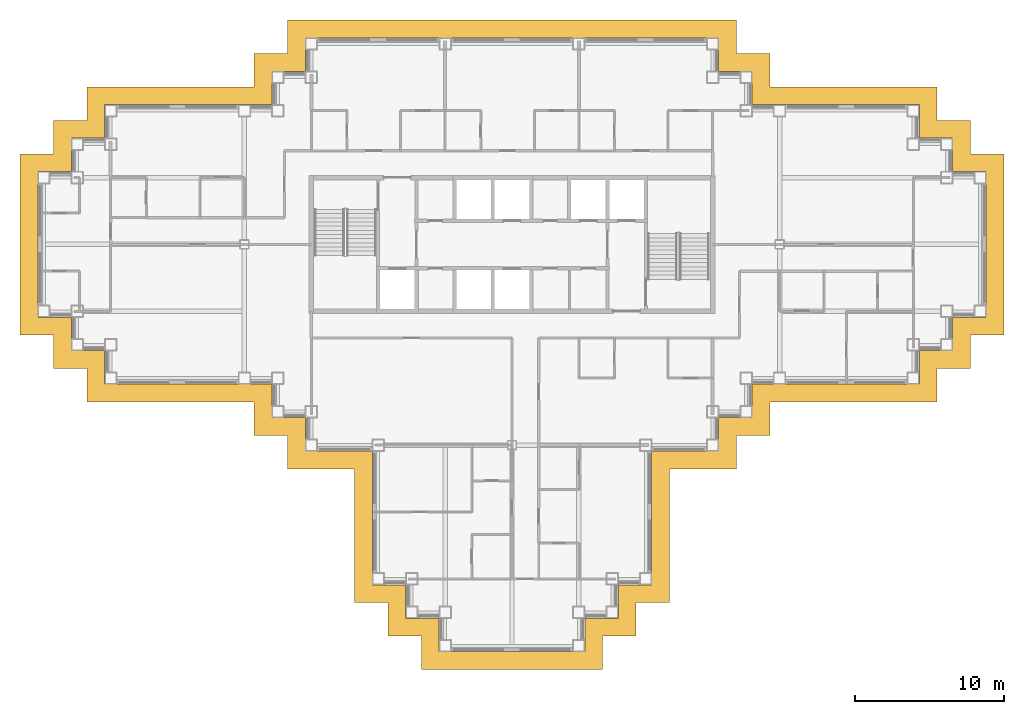
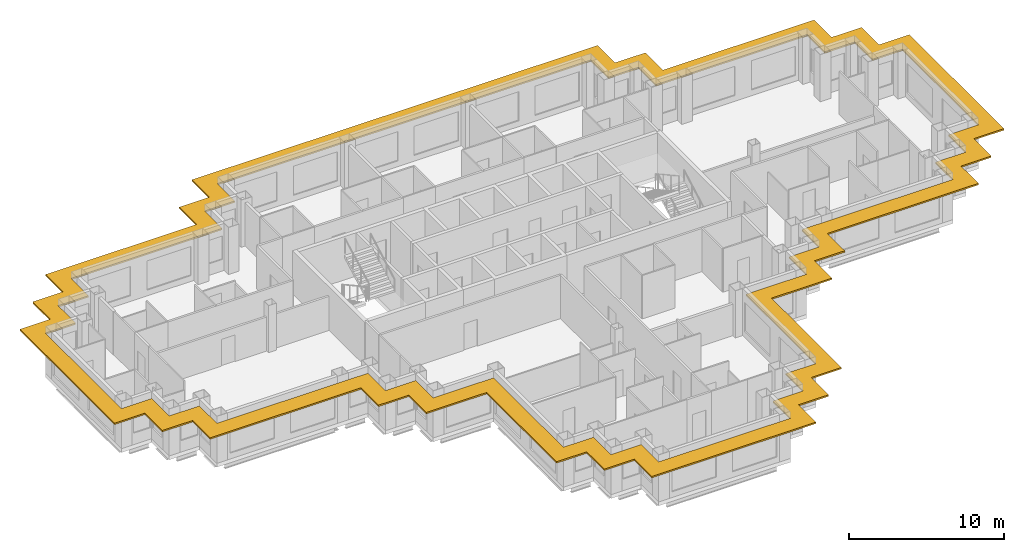
# One storey, part 12 of 13: 1 shading device.
"""IFC4 building model written with IfcOpenShell, lengths in metres."""

from ifc_helpers import new_model, si_unit, direction, frame, origin, place, context, subcontext, project, spatial, polyline, outline, extrude, material, layer, layer_set, type_object, element, save


model = new_model("IFC4")

# Units and contexts
model_context = context("Model", 3, precision=1e-05, world=origin(), true_north=direction((0.0, 1.0)))
body_context = subcontext(model_context, "Body", "Model", "MODEL_VIEW")
ifc_project = project(units=[si_unit("LENGTHUNIT", "METRE"), si_unit("AREAUNIT", "SQUARE_METRE"), si_unit("VOLUMEUNIT", "CUBIC_METRE"), si_unit("PLANEANGLEUNIT", "RADIAN"), si_unit("MASSUNIT", "GRAM", prefix="KILO")], contexts=[model_context])

# Site, building, storey
site_placement = place(None, origin())
site = spatial("IfcSite", under=ifc_project, at=site_placement, CompositionType="ELEMENT")
building_placement = place(site_placement, origin())
building = spatial("IfcBuilding", under=site, at=building_placement, Name="Caravel Reach Hotel and Residences", CompositionType="ELEMENT")
storey_placement = place(building_placement, frame((0.0, 0.0, 158.0)))
storey = spatial("IfcBuildingStorey", under=building, at=storey_placement, Name="L39", CompositionType="ELEMENT", Elevation=158.0)

# Shading device
ifc_material = material(Name="Black powder-coated aluminium", Category="aluminium")
ifc_layer = layer(ifc_material, 0.1201171875)
ifc_layer_set = layer_set([ifc_layer], Name="SS1 Sunshade band 1200")
shading_device_type = type_object("IfcShadingDeviceType", Name="SS1 Sunshade band 1200", PredefinedType="USERDEFINED", material=ifc_layer_set)
shading_device_placement = place(storey_placement, frame((0.0, 0.0, 3.0400390625)))
element("IfcShadingDevice", 1, at=shading_device_placement, inside=storey, type_object=shading_device_type, Name="Sunshade L39 1", ObjectType="SUNSHADE", PredefinedType="USERDEFINED", context=body_context, shape_type="SweptSolid", body=[
    extrude(outline(polyline([(20.89990234375, 11.89990234375), (20.89990234375, 2.89990234375), (23.14990234375, 2.89990234375), (23.14990234375, 0.64990234375), (25.39990234375, 0.64990234375), (25.39990234375, -1.60009765625), (37.60009765625, -1.60009765625), (37.60009765625, 0.64990234375), (39.85009765625, 0.64990234375), (39.85009765625, 2.89990234375), (42.10009765625, 2.89990234375), (42.10009765625, 11.89990234375), (46.60009765625, 11.89990234375), (46.60009765625, 14.14990234375), (48.85009765625, 14.14990234375), (48.85009765625, 16.39990234375), (60.10009765625, 16.39990234375), (60.10009765625, 18.64990234375), (62.35009765625, 18.64990234375), (62.35009765625, 20.89990234375), (64.60009765625, 20.89990234375), (64.60009765625, 33.10009765625), (62.35009765625, 33.10009765625), (62.35009765625, 35.35009765625), (60.10009765625, 35.35009765625), (60.10009765625, 37.60009765625), (48.85009765625, 37.60009765625), (48.85009765625, 39.85009765625), (46.60009765625, 39.85009765625), (46.60009765625, 42.10009765625), (16.39990234375, 42.10009765625), (16.39990234375, 39.85009765625), (14.14990234375, 39.85009765625), (14.14990234375, 37.60009765625), (2.89990234375, 37.60009765625), (2.89990234375, 35.35009765625), (0.64990234375, 35.35009765625), (0.64990234375, 33.10009765625), (-1.60009765625, 33.10009765625), (-1.60009765625, 20.89990234375), (0.64990234375, 20.89990234375), (0.64990234375, 18.64990234375), (2.89990234375, 18.64990234375), (2.89990234375, 16.39990234375), (14.14990234375, 16.39990234375), (14.14990234375, 14.14990234375), (16.39990234375, 14.14990234375), (16.39990234375, 11.89990234375), (20.89990234375, 11.89990234375)]), holes=[polyline([(24.35009765625, 4.10009765625), (22.10009765625, 4.10009765625), (22.10009765625, 13.10009765625), (17.60009765625, 13.10009765625), (17.60009765625, 15.35009765625), (15.35009765625, 15.35009765625), (15.35009765625, 17.60009765625), (4.10009765625, 17.60009765625), (4.10009765625, 19.85009765625), (1.85009765625, 19.85009765625), (1.85009765625, 22.10009765625), (-0.39990234375, 22.10009765625), (-0.39990234375, 31.89990234375), (1.85009765625, 31.89990234375), (1.85009765625, 34.14990234375), (4.10009765625, 34.14990234375), (4.10009765625, 36.39990234375), (15.35009765625, 36.39990234375), (15.35009765625, 38.64990234375), (17.60009765625, 38.64990234375), (17.60009765625, 40.89990234375), (45.39990234375, 40.89990234375), (45.39990234375, 38.64990234375), (47.64990234375, 38.64990234375), (47.64990234375, 36.39990234375), (58.89990234375, 36.39990234375), (58.89990234375, 34.14990234375), (61.14990234375, 34.14990234375), (61.14990234375, 31.89990234375), (63.39990234375, 31.89990234375), (63.39990234375, 22.10009765625), (61.14990234375, 22.10009765625), (61.14990234375, 19.85009765625), (58.89990234375, 19.85009765625), (58.89990234375, 17.60009765625), (47.64990234375, 17.60009765625), (47.64990234375, 15.35009765625), (45.39990234375, 15.35009765625), (45.39990234375, 13.10009765625), (40.89990234375, 13.10009765625), (40.89990234375, 4.10009765625), (38.64990234375, 4.10009765625), (38.64990234375, 1.85009765625), (36.39990234375, 1.85009765625), (36.39990234375, -0.39990234375), (26.60009765625, -0.39990234375), (26.60009765625, 1.85009765625), (24.35009765625, 1.85009765625), (24.35009765625, 4.10009765625)])]), origin(), (0.0, 0.0, 1.0), 0.119873046875),
])

save(model, "model.ifc")
